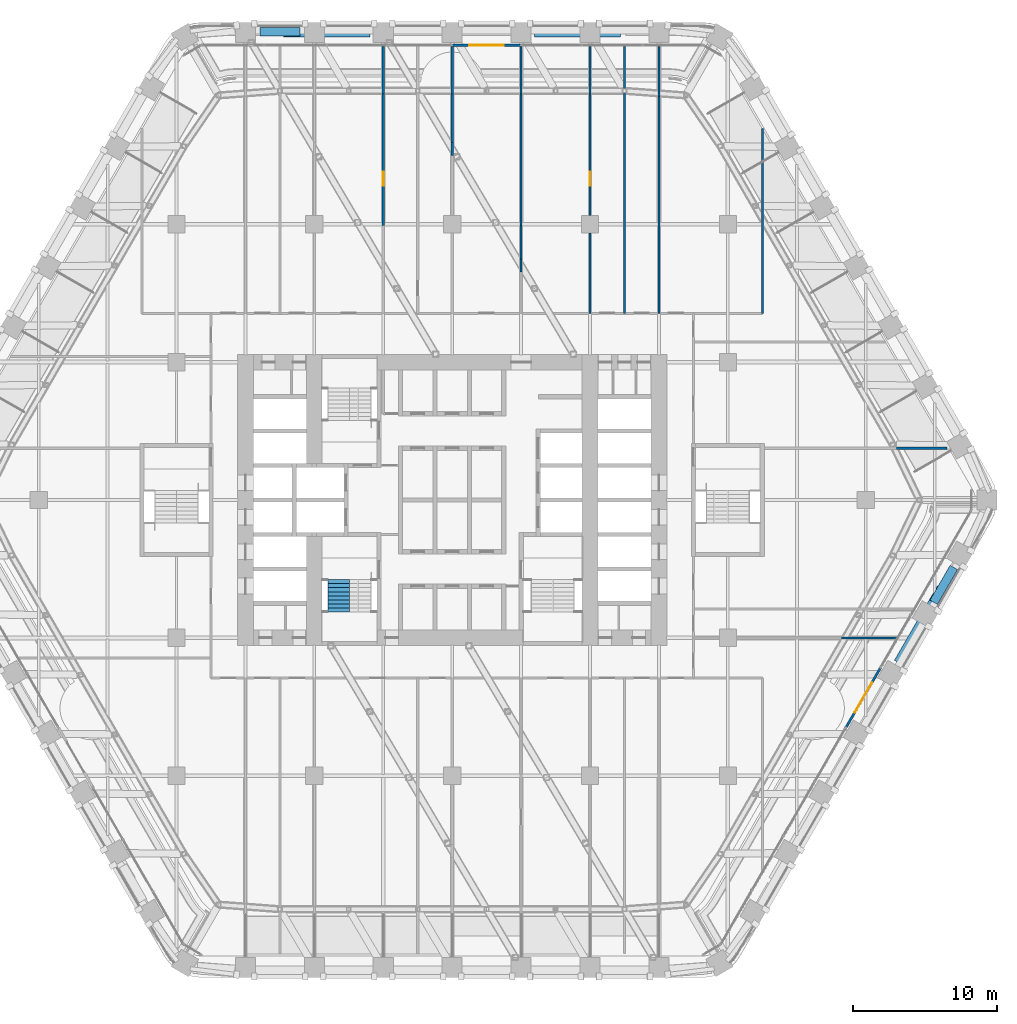
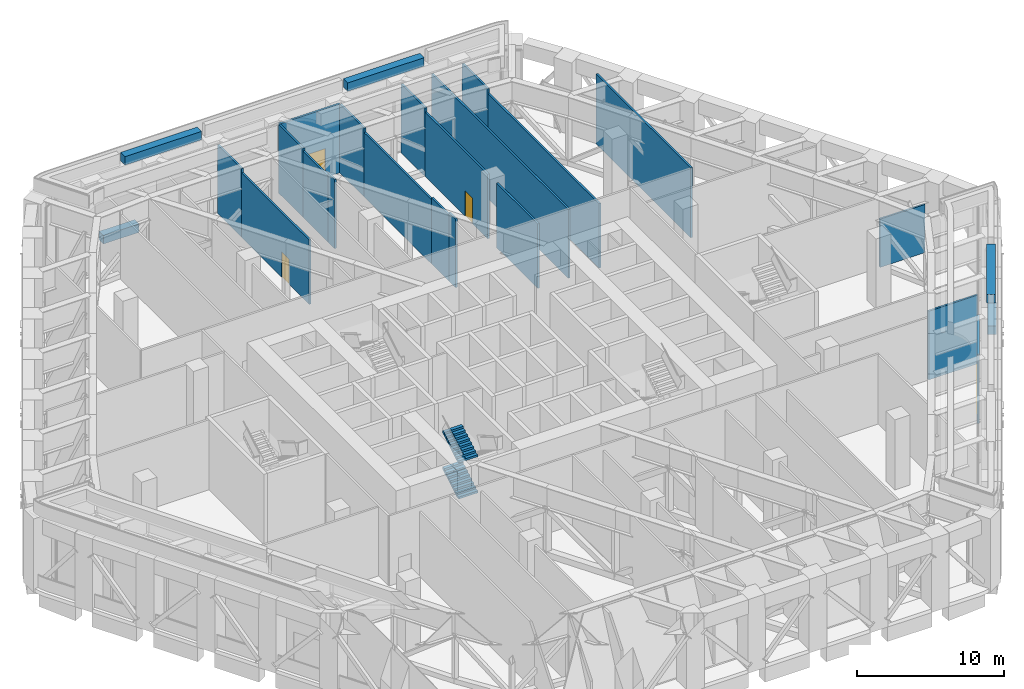
# One storey, part 23 of 35: 25 walls, 4 doors, 2 stair flights, 4 openings, 1 element without a shape of its own.
"""IFC4 building model written with IfcOpenShell, lengths in metres."""

from ifc_helpers import new_model, si_unit, direction, frame, frame_2d, origin, place, context, subcontext, project, spatial, polyline, rectangle, outline, extrude, material, layer, layer_set, type_object, element, fill, aggregate, save


model = new_model("IFC4")

# Units and contexts
model_context = context("Model", 3, precision=1e-05, world=origin(), true_north=direction((0.0, 1.0)))
body_context = subcontext(model_context, "Body", "Model", "MODEL_VIEW")
ifc_project = project(units=[si_unit("LENGTHUNIT", "METRE"), si_unit("AREAUNIT", "SQUARE_METRE"), si_unit("VOLUMEUNIT", "CUBIC_METRE"), si_unit("PLANEANGLEUNIT", "RADIAN"), si_unit("MASSUNIT", "GRAM", prefix="KILO")], contexts=[model_context])

# Site, building, storey
site_placement = place(None, origin())
site = spatial("IfcSite", under=ifc_project, at=site_placement, CompositionType="ELEMENT")
building_placement = place(site_placement, origin())
building = spatial("IfcBuilding", under=site, at=building_placement, Name="Kolab Exchange Tower", CompositionType="ELEMENT")
storey_placement = place(building_placement, frame((0.0, 0.0, 71.89990234375)))
storey = spatial("IfcBuildingStorey", under=building, at=storey_placement, Name="L13", CompositionType="ELEMENT", Elevation=71.89990234375)

# Wall, opening, door
ifc_material_1 = material(Name="Aluminium EN AW-6063 T6", Category="aluminium")
ifc_layer_1 = layer(ifc_material_1, 0.159912109375)
ifc_layer_set_1 = layer_set([ifc_layer_1], Name="Aluminium EN AW-6063 T6")
wall_type_1 = type_object("IfcWallType", Name="DOOR SURROUND WALL 160 ALUMINIUM FRAMED", PredefinedType="PARTITIONING", material=ifc_layer_set_1)
wall_1_placement = place(storey_placement, frame((0.030029296875, 31.67529296875, 0.0), z_axis=(0.0, 0.0, 1.0), x_axis=(1.0, 0.0, 0.0)))
wall_1 = element("IfcWall", 1, at=wall_1_placement, inside=storey, type_object=wall_type_1, Name="Door surround wall", PredefinedType="PARTITIONING", context=body_context, shape_type="SweptSolid", body=[
    extrude(rectangle(XDim=4.739990234375, YDim=0.159912109375, at=frame_2d((2.3701171875, 0.0))), origin(), (0.0, 0.0, 1.0), 5.7001953125),
])
opening_1_placement = place(wall_1_placement, frame((1.169921875, 0.0, 0.0)))
opening_1 = element("IfcOpeningElement", 2, at=opening_1_placement, cuts=wall_1, Name="Opening GD1-031", PredefinedType="OPENING", context=body_context, shape_type="SweptSolid", body=[
    extrude(rectangle(XDim=2.39990234375, YDim=2.39990234375, at=frame_2d((1.199951171875, 1.199951171875))), frame((0.0, 0.08984375, 0.0), z_axis=(0.0, -1.0, 0.0), x_axis=(1.0, 0.0, 0.0)), (0.0, 0.0, 1.0), 0.179931640625),
])
door_type_1 = type_object("IfcDoorType", Name="LOGGIA SLIDING GLASS DOOR 2400 X 2400", OperationType="DOUBLE_DOOR_SINGLE_SWING", PredefinedType="DOOR", material=ifc_material_1)
door_1_placement = place(opening_1_placement, origin())
door_1 = element("IfcDoor", 3, at=door_1_placement, inside=storey, type_object=door_type_1, Name="Loggia door", OperationType="DOUBLE_DOOR_SLIDING", OverallHeight=2.39990234375, OverallWidth=2.39990234375, PredefinedType="DOOR", context=body_context, shape_type="SweptSolid", body=[
    extrude(rectangle(XDim=2.39990234375, YDim=2.39990234375, at=frame_2d((1.199951171875, 1.199951171875))), frame((0.0, 0.02490234375, 0.0), z_axis=(0.0, -1.0, 0.0), x_axis=(1.0, 0.0, 0.0)), (0.0, 0.0, 1.0), 0.050048828125),
])
fill(opening_1, door_1)

wall_2_placement = place(storey_placement, frame((29.816650390625, -11.706787109375, 0.0), z_axis=(0.0, 0.0, 1.0), x_axis=(-0.499978080042, -0.866038058908, 0.0)))
wall_2 = element("IfcWall", 4, at=wall_2_placement, inside=storey, type_object=wall_type_1, Name="Door surround wall", PredefinedType="PARTITIONING", context=body_context, shape_type="SweptSolid", body=[
    extrude(rectangle(XDim=4.739990234375, YDim=0.159912109375, at=frame_2d((2.3701171875, 0.0))), origin(), (0.0, 0.0, 1.0), 5.7001953125),
])
opening_2_placement = place(wall_2_placement, frame((1.169921875, 0.0, 0.0)))
opening_2 = element("IfcOpeningElement", 5, at=opening_2_placement, cuts=wall_2, Name="Opening GD1-032", PredefinedType="OPENING", context=body_context, shape_type="SweptSolid", body=[
    extrude(rectangle(XDim=2.39990234375, YDim=2.39990234375, at=frame_2d((1.199951171875, 1.199951171875))), frame((0.0, 0.08984375, 0.0), z_axis=(0.0, -1.0, 0.0), x_axis=(1.0, 0.0, 0.0)), (0.0, 0.0, 1.0), 0.179931640625),
])
door_2_placement = place(opening_2_placement, origin())
door_2 = element("IfcDoor", 6, at=door_2_placement, inside=storey, type_object=door_type_1, Name="Loggia door", OperationType="DOUBLE_DOOR_SLIDING", OverallHeight=2.39990234375, OverallWidth=2.39990234375, PredefinedType="DOOR", context=body_context, shape_type="SweptSolid", body=[
    extrude(rectangle(XDim=2.39990234375, YDim=2.39990234375, at=frame_2d((1.199951171875, 1.199951171875))), frame((0.0, 0.02490234375, 0.0), z_axis=(0.0, -1.0, 0.0), x_axis=(1.0, 0.0, 0.0)), (0.0, 0.0, 1.0), 0.050048828125),
])
fill(opening_2, door_2)

# Walls
ifc_material_2 = material(Name="Gypsum board", Category="gypsum")
ifc_layer_2 = layer(ifc_material_2, 0.14990234375)
ifc_layer_set_2 = layer_set([ifc_layer_2], Name="Gypsum board")
wall_type_2 = type_object("IfcWallType", Name="PARTITION 150 FIRE-RATED", PredefinedType="PARTITIONING", material=ifc_layer_set_2)
wall_3_placement = place(storey_placement, frame((21.60009765625, 13.0, 0.0), z_axis=(0.0, 0.0, 1.0), x_axis=(0.0, 1.0, 0.0)))
element("IfcWall", 7, at=wall_3_placement, inside=storey, type_object=wall_type_2, Name="Partition 001", PredefinedType="PARTITIONING", context=body_context, shape_type="SweptSolid", body=[
    extrude(rectangle(XDim=12.8583984375, YDim=0.14990234375, at=frame_2d((6.42919921875, 0.0))), origin(), (0.0, 0.0, 1.0), 5.800048828125),
])
wall_4_placement = place(storey_placement, frame((14.39990234375, 13.0, 0.0), z_axis=(0.0, 0.0, 1.0), x_axis=(0.0, 1.0, 0.0)))
element("IfcWall", 8, at=wall_4_placement, inside=storey, type_object=wall_type_2, Name="Partition 005", PredefinedType="PARTITIONING", context=body_context, shape_type="SweptSolid", body=[
    extrude(rectangle(XDim=15.10693359375, YDim=0.14990234375, at=frame_2d((7.553466796875, 0.0))), origin(), (0.0, 0.0, 1.0), 5.343017578125),
])
wall_5_placement = place(storey_placement, frame((14.39990234375, 28.10693359375, 0.0), z_axis=(0.0, 0.0, 1.0), x_axis=(0.0, 1.0, 0.0)))
element("IfcWall", 9, at=wall_5_placement, inside=storey, type_object=wall_type_2, Name="Partition 005", PredefinedType="PARTITIONING", context=body_context, shape_type="SweptSolid", body=[
    extrude(rectangle(XDim=3.478515625, YDim=0.14990234375, at=frame_2d((1.7392578125, 0.0))), origin(), (0.0, 0.0, 1.0), 5.7001953125),
])
wall_6_placement = place(storey_placement, frame((12.0, 13.0, 0.0), z_axis=(0.0, 0.0, 1.0), x_axis=(0.0, 1.0, 0.0)))
element("IfcWall", 10, at=wall_6_placement, inside=storey, type_object=wall_type_2, Name="Partition 008", PredefinedType="PARTITIONING", context=body_context, shape_type="SweptSolid", body=[
    extrude(rectangle(XDim=18.58544921875, YDim=0.14990234375, at=frame_2d((9.292724609375, 0.0))), origin(), (0.0, 0.0, 1.0), 5.7001953125),
])
wall_7_placement = place(storey_placement, frame((9.60009765625, 13.0, 0.0), z_axis=(0.0, 0.0, 1.0), x_axis=(0.0, 1.0, 0.0)))
element("IfcWall", 11, at=wall_7_placement, inside=storey, type_object=wall_type_2, Name="Partition 013", PredefinedType="PARTITIONING", context=body_context, shape_type="SweptSolid", body=[
    extrude(rectangle(XDim=5.60009765625, YDim=0.14990234375, at=frame_2d((2.800048828125, 0.0))), origin(), (0.0, 0.0, 1.0), 5.343017578125),
])

# Wall, opening, door
wall_8_placement = place(storey_placement, frame((9.60009765625, 19.800048828125, 0.0), z_axis=(0.0, 0.0, 1.0), x_axis=(0.0, 1.0, 0.0)))
wall_8 = element("IfcWall", 12, at=wall_8_placement, inside=storey, type_object=wall_type_2, Name="Partition 014", PredefinedType="PARTITIONING", context=body_context, shape_type="SweptSolid", body=[
    extrude(rectangle(XDim=8.488525390625, YDim=0.14990234375, at=frame_2d((4.244140625, 0.0))), origin(), (0.0, 0.0, 1.0), 5.343017578125),
])
opening_3_placement = place(wall_8_placement, frame((2.07763671875, 0.0, 0.0)))
opening_3 = element("IfcOpeningElement", 13, at=opening_3_placement, cuts=wall_8, Name="Opening D1-178", PredefinedType="OPENING", context=body_context, shape_type="SweptSolid", body=[
    extrude(rectangle(XDim=1.0, YDim=2.10009765625, at=frame_2d((0.5, 1.050048828125))), frame((0.0, 0.0849609375, 0.0), z_axis=(0.0, -1.0, 0.0), x_axis=(1.0, 0.0, 0.0)), (0.0, 0.0, 1.0), 0.169921875),
])
ifc_material_3 = material(Name="Steel S235", Category="steel")
door_type_2 = type_object("IfcDoorType", Name="FLUSH DOOR 1000 FD60", OperationType="SINGLE_SWING_LEFT", PredefinedType="DOOR", material=ifc_material_3)
door_3_placement = place(opening_3_placement, origin())
door_3 = element("IfcDoor", 14, at=door_3_placement, inside=storey, type_object=door_type_2, Name="Door L13-057", OperationType="SINGLE_SWING_RIGHT", OverallHeight=2.10009765625, OverallWidth=1.0, PredefinedType="DOOR", context=body_context, shape_type="SweptSolid", body=[
    extrude(rectangle(XDim=1.0, YDim=2.10009765625, at=frame_2d((0.5, 1.050048828125))), frame((0.0, 0.02490234375, 0.0), z_axis=(0.0, -1.0, 0.0), x_axis=(1.0, 0.0, 0.0)), (0.0, 0.0, 1.0), 0.050048828125),
])
fill(opening_3, door_3)

# Walls
wall_9_placement = place(storey_placement, frame((9.60009765625, 28.28857421875, 0.0), z_axis=(0.0, 0.0, 1.0), x_axis=(0.0, 1.0, 0.0)))
element("IfcWall", 15, at=wall_9_placement, inside=storey, type_object=wall_type_2, Name="Partition 014", PredefinedType="PARTITIONING", context=body_context, shape_type="SweptSolid", body=[
    extrude(rectangle(XDim=3.296875, YDim=0.14990234375, at=frame_2d((1.6484375, 0.0))), origin(), (0.0, 0.0, 1.0), 5.7001953125),
])
wall_10_placement = place(storey_placement, frame((4.800048828125, 19.1259765625, 0.0), z_axis=(0.0, 0.0, 1.0), x_axis=(0.0, 1.0, 0.0)))
element("IfcWall", 16, at=wall_10_placement, inside=storey, type_object=wall_type_2, Name="Partition 016", PredefinedType="PARTITIONING", context=body_context, shape_type="SweptSolid", body=[
    extrude(rectangle(XDim=9.16259765625, YDim=0.14990234375, at=frame_2d((4.581298828125, 0.0))), origin(), (0.0, 0.0, 1.0), 5.343017578125),
])
wall_11_placement = place(storey_placement, frame((4.800048828125, 15.876708984375, 0.0), z_axis=(0.0, 0.0, 1.0), x_axis=(0.0, 1.0, 0.0)))
element("IfcWall", 17, at=wall_11_placement, inside=storey, type_object=wall_type_2, Name="Partition 016", PredefinedType="PARTITIONING", context=body_context, shape_type="SweptSolid", body=[
    extrude(rectangle(XDim=0.902099609375, YDim=0.14990234375, at=frame_2d((0.451171875, 0.0))), origin(), (0.0, 0.0, 1.0), 5.7001953125),
])
wall_12_placement = place(storey_placement, frame((4.800048828125, 16.77880859375, 0.0), z_axis=(0.0, 0.0, 1.0), x_axis=(0.0, 1.0, 0.0)))
element("IfcWall", 18, at=wall_12_placement, inside=storey, type_object=wall_type_2, Name="Partition 016", PredefinedType="PARTITIONING", context=body_context, shape_type="SweptSolid", body=[
    extrude(rectangle(XDim=2.34716796875, YDim=0.14990234375, at=frame_2d((1.173583984375, 0.0))), origin(), (0.0, 0.0, 1.0), 5.489990234375),
])
wall_13_placement = place(storey_placement, frame((4.800048828125, 28.28857421875, 0.0), z_axis=(0.0, 0.0, 1.0), x_axis=(0.0, 1.0, 0.0)))
element("IfcWall", 19, at=wall_13_placement, inside=storey, type_object=wall_type_2, Name="Partition 016", PredefinedType="PARTITIONING", context=body_context, shape_type="SweptSolid", body=[
    extrude(rectangle(XDim=3.306884765625, YDim=0.14990234375, at=frame_2d((1.6533203125, 0.0))), origin(), (0.0, 0.0, 1.0), 5.7001953125),
])
wall_14_placement = place(storey_placement, frame((0.0, 23.990478515625, 0.0), z_axis=(0.0, 0.0, 1.0), x_axis=(0.0, 1.0, 0.0)))
element("IfcWall", 20, at=wall_14_placement, inside=storey, type_object=wall_type_2, Name="Partition 020", PredefinedType="PARTITIONING", context=body_context, shape_type="SweptSolid", body=[
    extrude(rectangle(XDim=0.902099609375, YDim=0.14990234375, at=frame_2d((0.451171875, 0.0))), origin(), (0.0, 0.0, 1.0), 5.7001953125),
])
wall_15_placement = place(storey_placement, frame((0.0, 24.892578125, 0.0), z_axis=(0.0, 0.0, 1.0), x_axis=(0.0, 1.0, 0.0)))
element("IfcWall", 21, at=wall_15_placement, inside=storey, type_object=wall_type_2, Name="Partition 020", PredefinedType="PARTITIONING", context=body_context, shape_type="SweptSolid", body=[
    extrude(rectangle(XDim=3.39599609375, YDim=0.14990234375, at=frame_2d((1.697998046875, 0.0))), origin(), (0.0, 0.0, 1.0), 5.489990234375),
])
wall_16_placement = place(storey_placement, frame((0.0, 28.28857421875, 0.0), z_axis=(0.0, 0.0, 1.0), x_axis=(0.0, 1.0, 0.0)))
element("IfcWall", 22, at=wall_16_placement, inside=storey, type_object=wall_type_2, Name="Partition 020", PredefinedType="PARTITIONING", context=body_context, shape_type="SweptSolid", body=[
    extrude(rectangle(XDim=3.306884765625, YDim=0.14990234375, at=frame_2d((1.6533203125, 0.0))), origin(), (0.0, 0.0, 1.0), 5.7001953125),
])

# Wall, opening, door
wall_17_placement = place(storey_placement, frame((-4.800048828125, 19.1259765625, 0.0), z_axis=(0.0, 0.0, 1.0), x_axis=(0.0, 1.0, 0.0)))
wall_17 = element("IfcWall", 23, at=wall_17_placement, inside=storey, type_object=wall_type_2, Name="Partition 024", PredefinedType="PARTITIONING", context=body_context, shape_type="SweptSolid", body=[
    extrude(rectangle(XDim=9.16259765625, YDim=0.14990234375, at=frame_2d((4.581298828125, 0.0))), origin(), (0.0, 0.0, 1.0), 5.343017578125),
])
opening_4_placement = place(wall_17_placement, frame((2.751708984375, 0.0, 0.0)))
opening_4 = element("IfcOpeningElement", 24, at=opening_4_placement, cuts=wall_17, Name="Opening D1-175", PredefinedType="OPENING", context=body_context, shape_type="SweptSolid", body=[
    extrude(rectangle(XDim=1.0, YDim=2.10009765625, at=frame_2d((0.5, 1.050048828125))), frame((0.0, 0.0849609375, 0.0), z_axis=(0.0, -1.0, 0.0), x_axis=(1.0, 0.0, 0.0)), (0.0, 0.0, 1.0), 0.169921875),
])
door_4_placement = place(opening_4_placement, frame((1.0, 0.0, 0.0), z_axis=(0.0, 0.0, 1.0), x_axis=(-1.0, 0.0, 0.0)))
door_4 = element("IfcDoor", 25, at=door_4_placement, inside=storey, type_object=door_type_2, Name="Door L13-054", OperationType="SINGLE_SWING_RIGHT", OverallHeight=2.10009765625, OverallWidth=1.0, PredefinedType="DOOR", context=body_context, shape_type="SweptSolid", body=[
    extrude(rectangle(XDim=1.0, YDim=2.10009765625, at=frame_2d((0.5, 1.050048828125))), frame((0.0, 0.02490234375, 0.0), z_axis=(0.0, -1.0, 0.0), x_axis=(1.0, 0.0, 0.0)), (0.0, 0.0, 1.0), 0.050048828125),
])
fill(opening_4, door_4)

# Walls
wall_18_placement = place(storey_placement, frame((-4.800048828125, 28.28857421875, 0.0), z_axis=(0.0, 0.0, 1.0), x_axis=(0.0, 1.0, 0.0)))
element("IfcWall", 26, at=wall_18_placement, inside=storey, type_object=wall_type_2, Name="Partition 024", PredefinedType="PARTITIONING", context=body_context, shape_type="SweptSolid", body=[
    extrude(rectangle(XDim=3.296875, YDim=0.14990234375, at=frame_2d((1.6484375, 0.0))), origin(), (0.0, 0.0, 1.0), 5.7001953125),
])
wall_19_placement = place(storey_placement, frame((27.115966796875, -9.60009765625, 0.0), z_axis=(0.0, 0.0, 1.0), x_axis=(1.0, 0.0, 0.0)))
element("IfcWall", 27, at=wall_19_placement, inside=storey, type_object=wall_type_2, Name="Partition 041", PredefinedType="PARTITIONING", context=body_context, shape_type="SweptSolid", body=[
    extrude(rectangle(XDim=3.870849609375, YDim=0.14990234375, at=frame_2d((1.935546875, 0.0))), origin(), (0.0, 0.0, 1.0), 5.7001953125),
])
wall_20_placement = place(storey_placement, frame((30.927734375, 3.60009765625, 0.0), z_axis=(0.0, 0.0, 1.0), x_axis=(1.0, 0.0, 0.0)))
element("IfcWall", 28, at=wall_20_placement, inside=storey, type_object=wall_type_2, Name="Partition 045", PredefinedType="PARTITIONING", context=body_context, shape_type="SweptSolid", body=[
    extrude(rectangle(XDim=3.523193359375, YDim=0.14990234375, at=frame_2d((1.76171875, 0.0))), origin(), (0.0, 0.0, 1.0), 4.0),
])
ifc_material_4 = material(Name="Granite facing", Category="masonry")
ifc_layer_3 = layer(ifc_material_4, 0.0400390625)
ifc_material_5 = material(Name="Concrete C40/50 precast", Category="concrete")
ifc_layer_4 = layer(ifc_material_5, 0.56005859375)
ifc_layer_set_3 = layer_set([ifc_layer_3, ifc_layer_4], Name="Concrete C40/50 precast")
wall_type_3 = type_object("IfcWallType", Name="PLANTER BOX 600 X 700 SOIL DEPTH 550", PredefinedType="USERDEFINED", material=ifc_layer_set_3)
for number, where, z_axis, x_axis, name in (
    (29, (-13.39990234375, 32.60546875, 0.0), (0.0, 0.0, 1.0), (1.0, 0.0, 0.0), "Planter"),
    (30, (34.93701171875, -4.697998046875, 0.0), (0.0, 0.0, 1.0), (-0.49998411664, -0.866034573852, 0.0), "Planter"),
):
    element("IfcWall", number, at=place(storey_placement, frame(where, z_axis=z_axis, x_axis=x_axis)), inside=storey, type_object=wall_type_3, Name=name, ObjectType="PLANTER", PredefinedType="USERDEFINED", context=body_context, shape_type="SweptSolid", body=[
        extrude(rectangle(XDim=2.7998046875, YDim=0.60009765625, at=frame_2d((1.39990234375, 0.0))), origin(), (0.0, 0.0, 1.0), 0.7001953125),
    ])
for number, where, z_axis, x_axis, name in (
    (31, (-11.73388671875, 32.555419921875, 6.0), (0.0, 0.0, 1.0), (1.0, 0.0, 0.0), "Planter"),
    (32, (5.73388671875, 32.555419921875, 6.0), (0.0, 0.0, 1.0), (1.0, 0.0, 0.0), "Planter"),
    (33, (34.060791015625, -6.11572265625, 6.0), (0.0, 0.0, 1.0), (-0.499990139034, -0.866031096941, 0.0), "Planter"),
):
    element("IfcWall", number, at=place(storey_placement, frame(where, z_axis=z_axis, x_axis=x_axis)), inside=storey, type_object=wall_type_3, Name=name, ObjectType="PLANTER", PredefinedType="USERDEFINED", context=body_context, shape_type="SweptSolid", body=[
        extrude(rectangle(XDim=6.0, YDim=0.60009765625, at=frame_2d((3.0, 0.0))), origin(), (0.0, 0.0, 1.0), 0.7001953125),
    ])

# Stair, stair flights
ifc_material_6 = material(Name="Concrete C50/60", Category="concrete")
stair_type = type_object("IfcStairType", Name="STAIR ST3 RISER 166.7", PredefinedType="DOUBLE_RETURN_STAIR", material=ifc_material_6)
stair_placement = place(storey_placement, origin())
stair = element("IfcStair", 34, at=stair_placement, inside=storey, type_object=stair_type, Name="Stair 3", PredefinedType="DOUBLE_RETURN_STAIR")
stair_flight_type = type_object("IfcStairFlightType", Name="STAIR FLIGHT 1500 RISER 166.7", PredefinedType="STRAIGHT", material=ifc_material_6)
stair_flight_1_placement = place(storey_placement, frame((-7.909912109375, -7.7900390625, 1.5), z_axis=(0.0, 0.0, 1.0), x_axis=(0.0, 1.0, 0.0)))
stair_flight_1 = element("IfcStairFlight", 35, at=stair_flight_1_placement, type_object=stair_flight_type, Name="ST3 flight 2", NumberOfRisers=9, NumberOfTreads=8, PredefinedType="STRAIGHT", RiserHeight=0.166666667, TreadLength=0.28, context=body_context, shape_type="SweptSolid", body=[
    extrude(outline(polyline([(0.0, 0.0), (0.0, 0.166748046875), (0.280029296875, 0.166748046875), (0.280029296875, 0.333251953125), (0.56005859375, 0.333251953125), (0.56005859375, 0.5), (0.840087890625, 0.5), (0.840087890625, 0.666748046875), (1.1201171875, 0.666748046875), (1.1201171875, 0.833251953125), (1.39990234375, 0.833251953125), (1.39990234375, 1.0), (1.679931640625, 1.0), (1.679931640625, 1.166748046875), (1.9599609375, 1.166748046875), (1.9599609375, 1.333251953125), (2.239990234375, 1.333251953125), (2.239990234375, 1.5), (2.239990234375, 1.158935546875), (0.29296875, 0.0), (0.0, 0.0)])), frame((0.0, 0.75, 0.0), z_axis=(0.0, -1.0, 0.0), x_axis=(1.0, 0.0, 0.0)), (0.0, 0.0, 1.0), 0.185791015625),
    extrude(outline(polyline([(0.0, 0.0), (0.0, 0.166748046875), (0.280029296875, 0.166748046875), (0.280029296875, 0.333251953125), (0.56005859375, 0.333251953125), (0.56005859375, 0.5), (0.840087890625, 0.5), (0.840087890625, 0.666748046875), (1.1201171875, 0.666748046875), (1.1201171875, 0.833251953125), (1.39990234375, 0.833251953125), (1.39990234375, 1.0), (1.679931640625, 1.0), (1.679931640625, 1.166748046875), (1.9599609375, 1.166748046875), (1.9599609375, 1.333251953125), (2.239990234375, 1.333251953125), (2.239990234375, 1.5), (2.239990234375, 1.158935546875), (0.29296875, 0.0), (0.0, 0.0)])), frame((0.0, 0.562255859375, 0.0), z_axis=(0.0, -1.0, 0.0), x_axis=(1.0, 0.0, 0.0)), (0.0, 0.0, 1.0), 0.185791015625),
    extrude(outline(polyline([(0.0, 0.0), (0.0, 0.166748046875), (0.280029296875, 0.166748046875), (0.280029296875, 0.333251953125), (0.56005859375, 0.333251953125), (0.56005859375, 0.5), (0.840087890625, 0.5), (0.840087890625, 0.666748046875), (1.1201171875, 0.666748046875), (1.1201171875, 0.833251953125), (1.39990234375, 0.833251953125), (1.39990234375, 1.0), (1.679931640625, 1.0), (1.679931640625, 1.166748046875), (1.9599609375, 1.166748046875), (1.9599609375, 1.333251953125), (2.239990234375, 1.333251953125), (2.239990234375, 1.5), (2.239990234375, 1.158935546875), (0.29296875, 0.0), (0.0, 0.0)])), frame((0.0, 0.37451171875, 0.0), z_axis=(0.0, -1.0, 0.0), x_axis=(1.0, 0.0, 0.0)), (0.0, 0.0, 1.0), 0.185791015625),
    extrude(outline(polyline([(0.0, 0.0), (0.0, 0.166748046875), (0.280029296875, 0.166748046875), (0.280029296875, 0.333251953125), (0.56005859375, 0.333251953125), (0.56005859375, 0.5), (0.840087890625, 0.5), (0.840087890625, 0.666748046875), (1.1201171875, 0.666748046875), (1.1201171875, 0.833251953125), (1.39990234375, 0.833251953125), (1.39990234375, 1.0), (1.679931640625, 1.0), (1.679931640625, 1.166748046875), (1.9599609375, 1.166748046875), (1.9599609375, 1.333251953125), (2.239990234375, 1.333251953125), (2.239990234375, 1.5), (2.239990234375, 1.158935546875), (0.29296875, 0.0), (0.0, 0.0)])), frame((0.0, 0.186767578125, 0.0), z_axis=(0.0, -1.0, 0.0), x_axis=(1.0, 0.0, 0.0)), (0.0, 0.0, 1.0), 0.185791015625),
    extrude(outline(polyline([(0.0, 0.0), (0.0, 0.166748046875), (0.280029296875, 0.166748046875), (0.280029296875, 0.333251953125), (0.56005859375, 0.333251953125), (0.56005859375, 0.5), (0.840087890625, 0.5), (0.840087890625, 0.666748046875), (1.1201171875, 0.666748046875), (1.1201171875, 0.833251953125), (1.39990234375, 0.833251953125), (1.39990234375, 1.0), (1.679931640625, 1.0), (1.679931640625, 1.166748046875), (1.9599609375, 1.166748046875), (1.9599609375, 1.333251953125), (2.239990234375, 1.333251953125), (2.239990234375, 1.5), (2.239990234375, 1.158935546875), (0.29296875, 0.0), (0.0, 0.0)])), frame((0.0, -0.0009765625, 0.0), z_axis=(0.0, -1.0, 0.0), x_axis=(1.0, 0.0, 0.0)), (0.0, 0.0, 1.0), 0.185791015625),
    extrude(outline(polyline([(0.0, 0.0), (0.0, 0.166748046875), (0.280029296875, 0.166748046875), (0.280029296875, 0.333251953125), (0.56005859375, 0.333251953125), (0.56005859375, 0.5), (0.840087890625, 0.5), (0.840087890625, 0.666748046875), (1.1201171875, 0.666748046875), (1.1201171875, 0.833251953125), (1.39990234375, 0.833251953125), (1.39990234375, 1.0), (1.679931640625, 1.0), (1.679931640625, 1.166748046875), (1.9599609375, 1.166748046875), (1.9599609375, 1.333251953125), (2.239990234375, 1.333251953125), (2.239990234375, 1.5), (2.239990234375, 1.158935546875), (0.29296875, 0.0), (0.0, 0.0)])), frame((0.0, -0.188720703125, 0.0), z_axis=(0.0, -1.0, 0.0), x_axis=(1.0, 0.0, 0.0)), (0.0, 0.0, 1.0), 0.185791015625),
    extrude(outline(polyline([(0.0, 0.0), (0.0, 0.166748046875), (0.280029296875, 0.166748046875), (0.280029296875, 0.333251953125), (0.56005859375, 0.333251953125), (0.56005859375, 0.5), (0.840087890625, 0.5), (0.840087890625, 0.666748046875), (1.1201171875, 0.666748046875), (1.1201171875, 0.833251953125), (1.39990234375, 0.833251953125), (1.39990234375, 1.0), (1.679931640625, 1.0), (1.679931640625, 1.166748046875), (1.9599609375, 1.166748046875), (1.9599609375, 1.333251953125), (2.239990234375, 1.333251953125), (2.239990234375, 1.5), (2.239990234375, 1.158935546875), (0.29296875, 0.0), (0.0, 0.0)])), frame((0.0, -0.37646484375, 0.0), z_axis=(0.0, -1.0, 0.0), x_axis=(1.0, 0.0, 0.0)), (0.0, 0.0, 1.0), 0.185791015625),
    extrude(outline(polyline([(0.0, 0.0), (0.0, 0.166748046875), (0.280029296875, 0.166748046875), (0.280029296875, 0.333251953125), (0.56005859375, 0.333251953125), (0.56005859375, 0.5), (0.840087890625, 0.5), (0.840087890625, 0.666748046875), (1.1201171875, 0.666748046875), (1.1201171875, 0.833251953125), (1.39990234375, 0.833251953125), (1.39990234375, 1.0), (1.679931640625, 1.0), (1.679931640625, 1.166748046875), (1.9599609375, 1.166748046875), (1.9599609375, 1.333251953125), (2.239990234375, 1.333251953125), (2.239990234375, 1.5), (2.239990234375, 1.158935546875), (0.29296875, 0.0), (0.0, 0.0)])), frame((0.0, -0.564208984375, 0.0), z_axis=(0.0, -1.0, 0.0), x_axis=(1.0, 0.0, 0.0)), (0.0, 0.0, 1.0), 0.185791015625),
])
stair_flight_2_placement = place(storey_placement, frame((-7.909912109375, -7.7900390625, 4.5), z_axis=(0.0, 0.0, 1.0), x_axis=(0.0, 1.0, 0.0)))
stair_flight_2 = element("IfcStairFlight", 36, at=stair_flight_2_placement, type_object=stair_flight_type, Name="ST3 flight 4", NumberOfRisers=9, NumberOfTreads=8, PredefinedType="STRAIGHT", RiserHeight=0.166666667, TreadLength=0.28, context=body_context, shape_type="SweptSolid", body=[
    extrude(outline(polyline([(0.0, 0.0), (0.0, 0.166748046875), (0.280029296875, 0.166748046875), (0.280029296875, 0.333251953125), (0.56005859375, 0.333251953125), (0.56005859375, 0.5), (0.840087890625, 0.5), (0.840087890625, 0.666748046875), (1.1201171875, 0.666748046875), (1.1201171875, 0.833251953125), (1.39990234375, 0.833251953125), (1.39990234375, 1.0), (1.679931640625, 1.0), (1.679931640625, 1.166748046875), (1.9599609375, 1.166748046875), (1.9599609375, 1.333251953125), (2.239990234375, 1.333251953125), (2.239990234375, 1.5), (2.239990234375, 1.158935546875), (0.29296875, 0.0), (0.0, 0.0)])), frame((0.0, 0.75, 0.0), z_axis=(0.0, -1.0, 0.0), x_axis=(1.0, 0.0, 0.0)), (0.0, 0.0, 1.0), 0.185791015625),
    extrude(outline(polyline([(0.0, 0.0), (0.0, 0.166748046875), (0.280029296875, 0.166748046875), (0.280029296875, 0.333251953125), (0.56005859375, 0.333251953125), (0.56005859375, 0.5), (0.840087890625, 0.5), (0.840087890625, 0.666748046875), (1.1201171875, 0.666748046875), (1.1201171875, 0.833251953125), (1.39990234375, 0.833251953125), (1.39990234375, 1.0), (1.679931640625, 1.0), (1.679931640625, 1.166748046875), (1.9599609375, 1.166748046875), (1.9599609375, 1.333251953125), (2.239990234375, 1.333251953125), (2.239990234375, 1.5), (2.239990234375, 1.158935546875), (0.29296875, 0.0), (0.0, 0.0)])), frame((0.0, 0.562255859375, 0.0), z_axis=(0.0, -1.0, 0.0), x_axis=(1.0, 0.0, 0.0)), (0.0, 0.0, 1.0), 0.185791015625),
    extrude(outline(polyline([(0.0, 0.0), (0.0, 0.166748046875), (0.280029296875, 0.166748046875), (0.280029296875, 0.333251953125), (0.56005859375, 0.333251953125), (0.56005859375, 0.5), (0.840087890625, 0.5), (0.840087890625, 0.666748046875), (1.1201171875, 0.666748046875), (1.1201171875, 0.833251953125), (1.39990234375, 0.833251953125), (1.39990234375, 1.0), (1.679931640625, 1.0), (1.679931640625, 1.166748046875), (1.9599609375, 1.166748046875), (1.9599609375, 1.333251953125), (2.239990234375, 1.333251953125), (2.239990234375, 1.5), (2.239990234375, 1.158935546875), (0.29296875, 0.0), (0.0, 0.0)])), frame((0.0, 0.37451171875, 0.0), z_axis=(0.0, -1.0, 0.0), x_axis=(1.0, 0.0, 0.0)), (0.0, 0.0, 1.0), 0.185791015625),
    extrude(outline(polyline([(0.0, 0.0), (0.0, 0.166748046875), (0.280029296875, 0.166748046875), (0.280029296875, 0.333251953125), (0.56005859375, 0.333251953125), (0.56005859375, 0.5), (0.840087890625, 0.5), (0.840087890625, 0.666748046875), (1.1201171875, 0.666748046875), (1.1201171875, 0.833251953125), (1.39990234375, 0.833251953125), (1.39990234375, 1.0), (1.679931640625, 1.0), (1.679931640625, 1.166748046875), (1.9599609375, 1.166748046875), (1.9599609375, 1.333251953125), (2.239990234375, 1.333251953125), (2.239990234375, 1.5), (2.239990234375, 1.158935546875), (0.29296875, 0.0), (0.0, 0.0)])), frame((0.0, 0.186767578125, 0.0), z_axis=(0.0, -1.0, 0.0), x_axis=(1.0, 0.0, 0.0)), (0.0, 0.0, 1.0), 0.185791015625),
    extrude(outline(polyline([(0.0, 0.0), (0.0, 0.166748046875), (0.280029296875, 0.166748046875), (0.280029296875, 0.333251953125), (0.56005859375, 0.333251953125), (0.56005859375, 0.5), (0.840087890625, 0.5), (0.840087890625, 0.666748046875), (1.1201171875, 0.666748046875), (1.1201171875, 0.833251953125), (1.39990234375, 0.833251953125), (1.39990234375, 1.0), (1.679931640625, 1.0), (1.679931640625, 1.166748046875), (1.9599609375, 1.166748046875), (1.9599609375, 1.333251953125), (2.239990234375, 1.333251953125), (2.239990234375, 1.5), (2.239990234375, 1.158935546875), (0.29296875, 0.0), (0.0, 0.0)])), frame((0.0, -0.0009765625, 0.0), z_axis=(0.0, -1.0, 0.0), x_axis=(1.0, 0.0, 0.0)), (0.0, 0.0, 1.0), 0.185791015625),
    extrude(outline(polyline([(0.0, 0.0), (0.0, 0.166748046875), (0.280029296875, 0.166748046875), (0.280029296875, 0.333251953125), (0.56005859375, 0.333251953125), (0.56005859375, 0.5), (0.840087890625, 0.5), (0.840087890625, 0.666748046875), (1.1201171875, 0.666748046875), (1.1201171875, 0.833251953125), (1.39990234375, 0.833251953125), (1.39990234375, 1.0), (1.679931640625, 1.0), (1.679931640625, 1.166748046875), (1.9599609375, 1.166748046875), (1.9599609375, 1.333251953125), (2.239990234375, 1.333251953125), (2.239990234375, 1.5), (2.239990234375, 1.158935546875), (0.29296875, 0.0), (0.0, 0.0)])), frame((0.0, -0.188720703125, 0.0), z_axis=(0.0, -1.0, 0.0), x_axis=(1.0, 0.0, 0.0)), (0.0, 0.0, 1.0), 0.185791015625),
    extrude(outline(polyline([(0.0, 0.0), (0.0, 0.166748046875), (0.280029296875, 0.166748046875), (0.280029296875, 0.333251953125), (0.56005859375, 0.333251953125), (0.56005859375, 0.5), (0.840087890625, 0.5), (0.840087890625, 0.666748046875), (1.1201171875, 0.666748046875), (1.1201171875, 0.833251953125), (1.39990234375, 0.833251953125), (1.39990234375, 1.0), (1.679931640625, 1.0), (1.679931640625, 1.166748046875), (1.9599609375, 1.166748046875), (1.9599609375, 1.333251953125), (2.239990234375, 1.333251953125), (2.239990234375, 1.5), (2.239990234375, 1.158935546875), (0.29296875, 0.0), (0.0, 0.0)])), frame((0.0, -0.37646484375, 0.0), z_axis=(0.0, -1.0, 0.0), x_axis=(1.0, 0.0, 0.0)), (0.0, 0.0, 1.0), 0.185791015625),
    extrude(outline(polyline([(0.0, 0.0), (0.0, 0.166748046875), (0.280029296875, 0.166748046875), (0.280029296875, 0.333251953125), (0.56005859375, 0.333251953125), (0.56005859375, 0.5), (0.840087890625, 0.5), (0.840087890625, 0.666748046875), (1.1201171875, 0.666748046875), (1.1201171875, 0.833251953125), (1.39990234375, 0.833251953125), (1.39990234375, 1.0), (1.679931640625, 1.0), (1.679931640625, 1.166748046875), (1.9599609375, 1.166748046875), (1.9599609375, 1.333251953125), (2.239990234375, 1.333251953125), (2.239990234375, 1.5), (2.239990234375, 1.158935546875), (0.29296875, 0.0), (0.0, 0.0)])), frame((0.0, -0.564208984375, 0.0), z_axis=(0.0, -1.0, 0.0), x_axis=(1.0, 0.0, 0.0)), (0.0, 0.0, 1.0), 0.185791015625),
])
aggregate(stair, [stair_flight_1, stair_flight_2])

save(model, "model.ifc")
